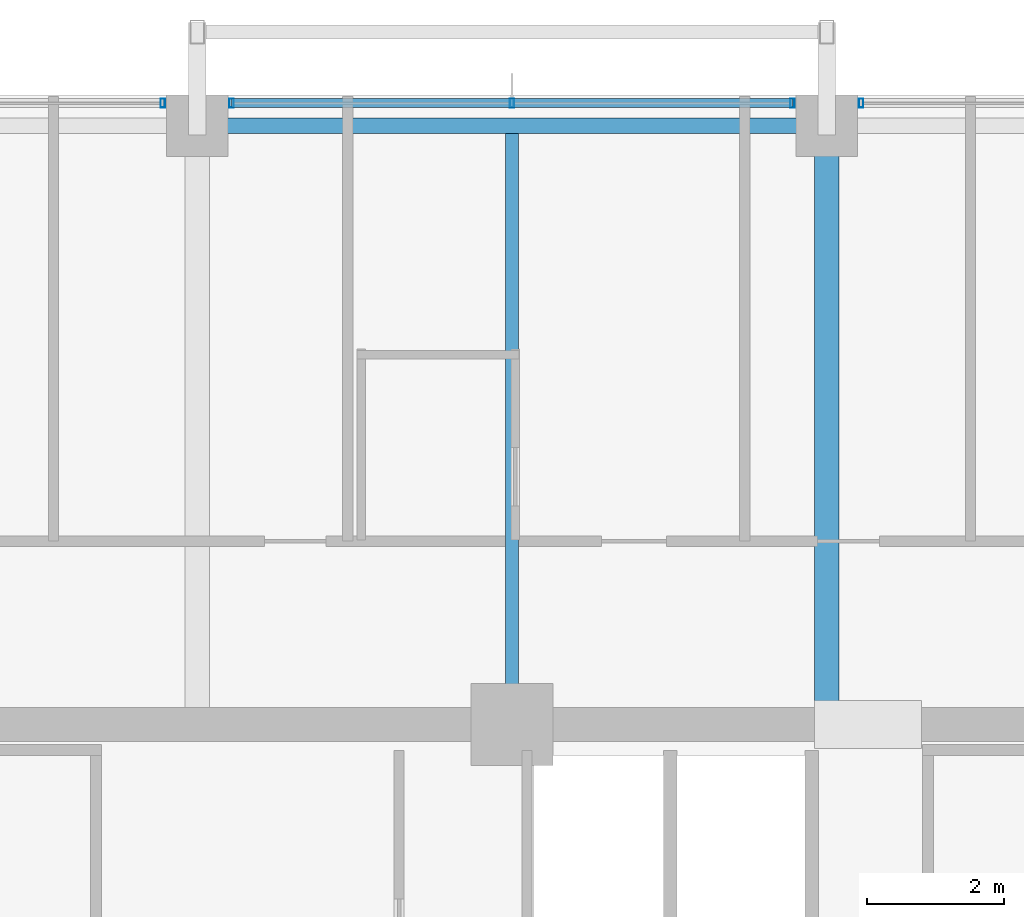
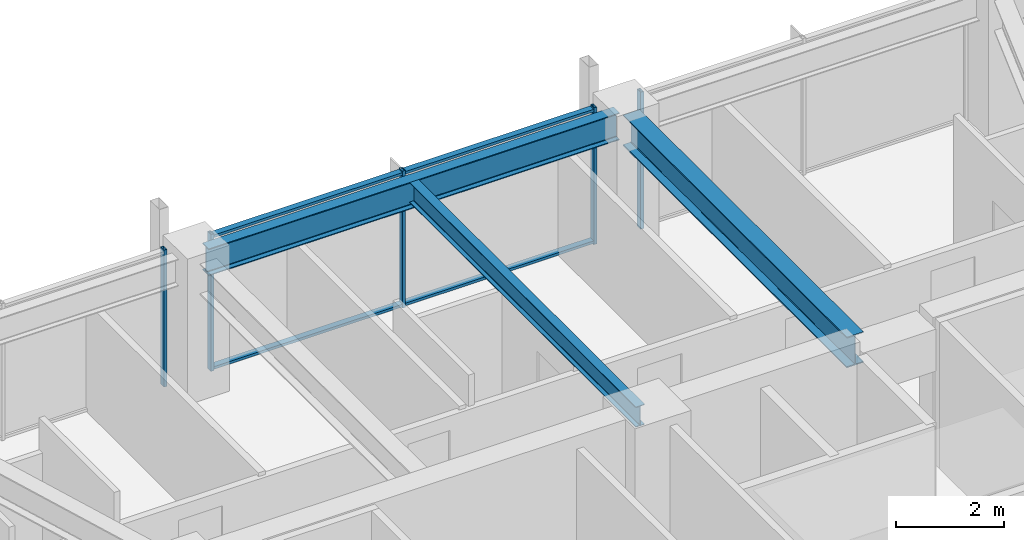
# One storey, part 21 of 37: 7 members, 3 beams, 3 elements without a shape of their own.
"""IFC4 building model written with IfcOpenShell, lengths in metres."""

from ifc_helpers import new_model, si_unit, direction, frame, origin, origin_2d, place, context, subcontext, project, spatial, hollow_rectangle, i_section, extrude, material, material_profile, profile_set, type_object, element, aggregate, save


model = new_model("IFC4")

# Units and contexts
model_context = context("Model", 3, precision=1e-05, world=origin(), true_north=direction((0.0, 1.0)))
body_context = subcontext(model_context, "Body", "Model", "MODEL_VIEW")
ifc_project = project(units=[si_unit("LENGTHUNIT", "METRE"), si_unit("AREAUNIT", "SQUARE_METRE"), si_unit("VOLUMEUNIT", "CUBIC_METRE"), si_unit("PLANEANGLEUNIT", "RADIAN"), si_unit("MASSUNIT", "GRAM", prefix="KILO")], contexts=[model_context])

# Site, building, storey
site_placement = place(None, origin())
site = spatial("IfcSite", under=ifc_project, at=site_placement, CompositionType="ELEMENT")
building_placement = place(site_placement, origin())
building = spatial("IfcBuilding", under=site, at=building_placement, Name="Kolvaren Belvedere", CompositionType="ELEMENT")
storey_placement = place(building_placement, frame((0.0, 0.0, 156.89990234375)))
storey = spatial("IfcBuildingStorey", under=building, at=storey_placement, Name="L45", CompositionType="ELEMENT", Elevation=156.89990234375)

# Beams
ifc_material_1 = material(Name="Structural steel ASTM A992 Grade 50", Category="steel")
ifc_material_profile_1 = material_profile(ifc_material_1, i_section(OverallWidth=0.35498046875, OverallDepth=0.696044921875, WebThickness=0.015380859375, FlangeThickness=0.02490234375, FilletRadius=0.02197265625, at=origin_2d()), Name="W27X146")
ifc_profile_set_1 = profile_set([ifc_material_profile_1], Name="Structural steel ASTM A992 Grade 50")
beam_type_1 = type_object("IfcBeamType", Name="BM-GIRD-W27X146", PredefinedType="BEAM", material=ifc_profile_set_1)
beam_1_placement = place(storey_placement, frame((4.60009765625, 10.14990234375, 2.752197265625), z_axis=(0.0, 1.0, 0.0), x_axis=(-1.0, 0.0, 0.0)))
element("IfcBeam", 1, at=beam_1_placement, inside=storey, type_object=beam_type_1, Name="L45 North Radial Girder P", PredefinedType="BEAM", context=body_context, shape_type="SweptSolid", body=[
    extrude(i_section(OverallWidth=0.35498046875, OverallDepth=0.696044921875, WebThickness=0.015380859375, FlangeThickness=0.02490234375, FilletRadius=0.02197265625, at=origin_2d()), origin(), (0.0, 0.0, 1.0), 8.297607421875),
])
ifc_material_2 = material(Name="Structural steel ASTM A992 Grade 50", Category="steel")
ifc_material_profile_2 = material_profile(ifc_material_2, i_section(OverallWidth=0.19091796875, OverallDepth=0.4599609375, WebThickness=0.010009765625, FlangeThickness=0.01611328125, FilletRadius=0.014892578125, at=origin_2d()), Name="W18X55")
ifc_profile_set_2 = profile_set([ifc_material_profile_2], Name="Structural steel ASTM A992 Grade 50")
beam_type_2 = type_object("IfcBeamType", Name="BM-JOIST-W18X55", PredefinedType="BEAM", material=ifc_profile_set_2)
beam_2_placement = place(storey_placement, frame((0.0, 10.14990234375, 2.8701171875), z_axis=(0.0, 1.0, 0.0), x_axis=(-1.0, 0.0, 0.0)))
element("IfcBeam", 2, at=beam_2_placement, inside=storey, type_object=beam_type_2, Name="L45 North Centre Floor Beam", PredefinedType="BEAM", context=body_context, shape_type="SweptSolid", body=[
    extrude(i_section(OverallWidth=0.19091796875, OverallDepth=0.4599609375, WebThickness=0.010009765625, FlangeThickness=0.01611328125, FilletRadius=0.014892578125, at=origin_2d()), origin(), (0.0, 0.0, 1.0), 8.385498046875),
])
ifc_material_3 = material(Name="Structural steel ASTM A992 Grade 50", Category="steel")
ifc_material_profile_3 = material_profile(ifc_material_3, i_section(OverallWidth=0.22900390625, OverallDepth=0.612060546875, WebThickness=0.011962890625, FlangeThickness=0.01953125, FilletRadius=0.01806640625, at=origin_2d()), Name="W24X84")
ifc_profile_set_3 = profile_set([ifc_material_profile_3], Name="Structural steel ASTM A992 Grade 50")
beam_type_3 = type_object("IfcBeamType", Name="BM-SPAN-W24X84", PredefinedType="SPANDREL", material=ifc_profile_set_3)
beam_3_placement = place(storey_placement, frame((4.3974609375, 18.64990234375, 2.794189453125), z_axis=(-1.0, 0.0, 0.0), x_axis=(0.0, -1.0, 0.0)))
element("IfcBeam", 3, at=beam_3_placement, inside=storey, type_object=beam_type_3, Name="L45 Perimeter Spandrel N3-N2", PredefinedType="SPANDREL", context=body_context, shape_type="SweptSolid", body=[
    extrude(i_section(OverallWidth=0.22900390625, OverallDepth=0.612060546875, WebThickness=0.011962890625, FlangeThickness=0.01953125, FilletRadius=0.01806640625, at=origin_2d()), origin(), (0.0, 0.0, 1.0), 8.794921875),
])

# Curtain wall, member
ifc_material_4 = material(Name="Anodised pale-metal aluminium AA 6063-T6", Category="aluminium")
curtain_wall_type = type_object("IfcCurtainWallType", Name="CW-Z3-WAIST", PredefinedType="NOTDEFINED", material=ifc_material_4)
curtain_wall_1_placement = place(storey_placement, origin())
curtain_wall_1 = element("IfcCurtainWall", 4, at=curtain_wall_1_placement, inside=storey, type_object=curtain_wall_type, Name="L45 Unitised Curtain Wall FCW-L45-N-B1", PredefinedType="NOTDEFINED")
ifc_material_5 = material(Name="Anodised pale-metal aluminium AA 6063-T6", Category="aluminium")
ifc_material_profile_4 = material_profile(ifc_material_5, hollow_rectangle(XDim=0.06494140625, YDim=0.1298828125, WallThickness=0.00390625, at=origin_2d()), Name="ALU-MUL-130X65")
ifc_profile_set_4 = profile_set([ifc_material_profile_4], Name="Anodised pale-metal aluminium AA 6063-T6")
member_type_1 = type_object("IfcMemberType", Name="CW-MUL-130", PredefinedType="MULLION", material=ifc_profile_set_4)
member_1_placement = place(storey_placement, frame((-5.1025390625, 18.97998046875, 0.0), z_axis=(0.0, 0.0, 1.0), x_axis=(1.0, 0.0, 0.0)))
member_1 = element("IfcMember", 5, at=member_1_placement, type_object=member_type_1, Name="FCW-L45-N-B1 Unitised Mullion 3", PredefinedType="MULLION", context=body_context, shape_type="SweptSolid", body=[
    extrude(hollow_rectangle(XDim=0.06494140625, YDim=0.1298828125, WallThickness=0.00390625, at=origin_2d()), origin(), (0.0, 0.0, 1.0), 3.10009765625),
])
aggregate(curtain_wall_1, [member_1])

# Curtain wall, members
curtain_wall_2_placement = place(storey_placement, origin())
curtain_wall_2 = element("IfcCurtainWall", 6, at=curtain_wall_2_placement, inside=storey, type_object=curtain_wall_type, Name="L45 Unitised Curtain Wall FCW-L45-N-B2", PredefinedType="NOTDEFINED")
member_2_placement = place(storey_placement, frame((-4.097412109375, 18.97998046875, 0.0), z_axis=(0.0, 0.0, 1.0), x_axis=(1.0, 0.0, 0.0)))
member_2 = element("IfcMember", 7, at=member_2_placement, type_object=member_type_1, Name="FCW-L45-N-B2 Unitised Mullion 1", PredefinedType="MULLION", context=body_context, shape_type="SweptSolid", body=[
    extrude(hollow_rectangle(XDim=0.06494140625, YDim=0.1298828125, WallThickness=0.00390625, at=origin_2d()), origin(), (0.0, 0.0, 1.0), 3.10009765625),
])
member_3_placement = place(storey_placement, frame((0.0, 18.97998046875, 0.0), z_axis=(0.0, 0.0, 1.0), x_axis=(1.0, 0.0, 0.0)))
member_3 = element("IfcMember", 8, at=member_3_placement, type_object=member_type_1, Name="FCW-L45-N-B2 Unitised Mullion 2", PredefinedType="MULLION", context=body_context, shape_type="SweptSolid", body=[
    extrude(hollow_rectangle(XDim=0.06494140625, YDim=0.1298828125, WallThickness=0.00390625, at=origin_2d()), origin(), (0.0, 0.0, 1.0), 3.10009765625),
])
member_4_placement = place(storey_placement, frame((4.097412109375, 18.97998046875, 0.0), z_axis=(0.0, 0.0, 1.0), x_axis=(1.0, 0.0, 0.0)))
member_4 = element("IfcMember", 9, at=member_4_placement, type_object=member_type_1, Name="FCW-L45-N-B2 Unitised Mullion 3", PredefinedType="MULLION", context=body_context, shape_type="SweptSolid", body=[
    extrude(hollow_rectangle(XDim=0.06494140625, YDim=0.1298828125, WallThickness=0.00390625, at=origin_2d()), origin(), (0.0, 0.0, 1.0), 3.10009765625),
])

# Curtain wall, member
curtain_wall_3_placement = place(storey_placement, origin())
curtain_wall_3 = element("IfcCurtainWall", 10, at=curtain_wall_3_placement, inside=storey, type_object=curtain_wall_type, Name="L45 Unitised Curtain Wall FCW-L45-N-B3", PredefinedType="NOTDEFINED")
member_5_placement = place(storey_placement, frame((5.1025390625, 18.97998046875, 0.0), z_axis=(0.0, 0.0, 1.0), x_axis=(1.0, 0.0, 0.0)))
member_5 = element("IfcMember", 11, at=member_5_placement, type_object=member_type_1, Name="FCW-L45-N-B3 Unitised Mullion 1", PredefinedType="MULLION", context=body_context, shape_type="SweptSolid", body=[
    extrude(hollow_rectangle(XDim=0.06494140625, YDim=0.1298828125, WallThickness=0.00390625, at=origin_2d()), origin(), (0.0, 0.0, 1.0), 3.10009765625),
])
aggregate(curtain_wall_3, [member_5])

# Member
ifc_material_6 = material(Name="Anodised pale-metal aluminium AA 6063-T6", Category="aluminium")
ifc_material_profile_5 = material_profile(ifc_material_6, hollow_rectangle(XDim=0.06005859375, YDim=0.1298828125, WallThickness=0.00390625, at=origin_2d()), Name="ALU-TRN-130X60")
ifc_profile_set_5 = profile_set([ifc_material_profile_5], Name="Anodised pale-metal aluminium AA 6063-T6")
member_type_2 = type_object("IfcMemberType", Name="CW-TRN-130", PredefinedType="USERDEFINED", material=ifc_profile_set_5)
member_6_placement = place(storey_placement, frame((-4.097412109375, 18.97998046875, 0.06005859375), z_axis=(1.0, 0.0, 0.0), x_axis=(0.0, 0.0, 1.0)))
member_6 = element("IfcMember", 12, at=member_6_placement, type_object=member_type_2, Name="FCW-L45-N-B2 Sill Transom", ObjectType="TRANSOM", PredefinedType="USERDEFINED", context=body_context, shape_type="SweptSolid", body=[
    extrude(hollow_rectangle(XDim=0.06005859375, YDim=0.1298828125, WallThickness=0.00390625, at=origin_2d()), origin(), (0.0, 0.0, 1.0), 8.19482421875),
])

member_7_placement = place(storey_placement, frame((-4.097412109375, 18.97998046875, 3.0400390625), z_axis=(1.0, 0.0, 0.0), x_axis=(0.0, 0.0, 1.0)))
member_7 = element("IfcMember", 13, at=member_7_placement, type_object=member_type_2, Name="FCW-L45-N-B2 Head Transom", ObjectType="TRANSOM", PredefinedType="USERDEFINED", context=body_context, shape_type="SweptSolid", body=[
    extrude(hollow_rectangle(XDim=0.06005859375, YDim=0.1298828125, WallThickness=0.00390625, at=origin_2d()), origin(), (0.0, 0.0, 1.0), 8.19482421875),
])

aggregate(curtain_wall_2, [member_2, member_3, member_4, member_6, member_7])

save(model, "model.ifc")
